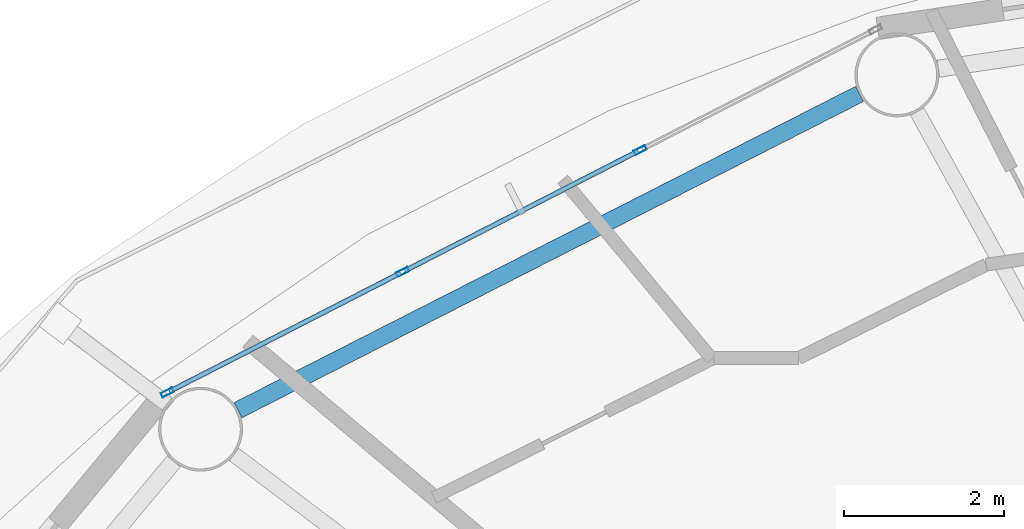
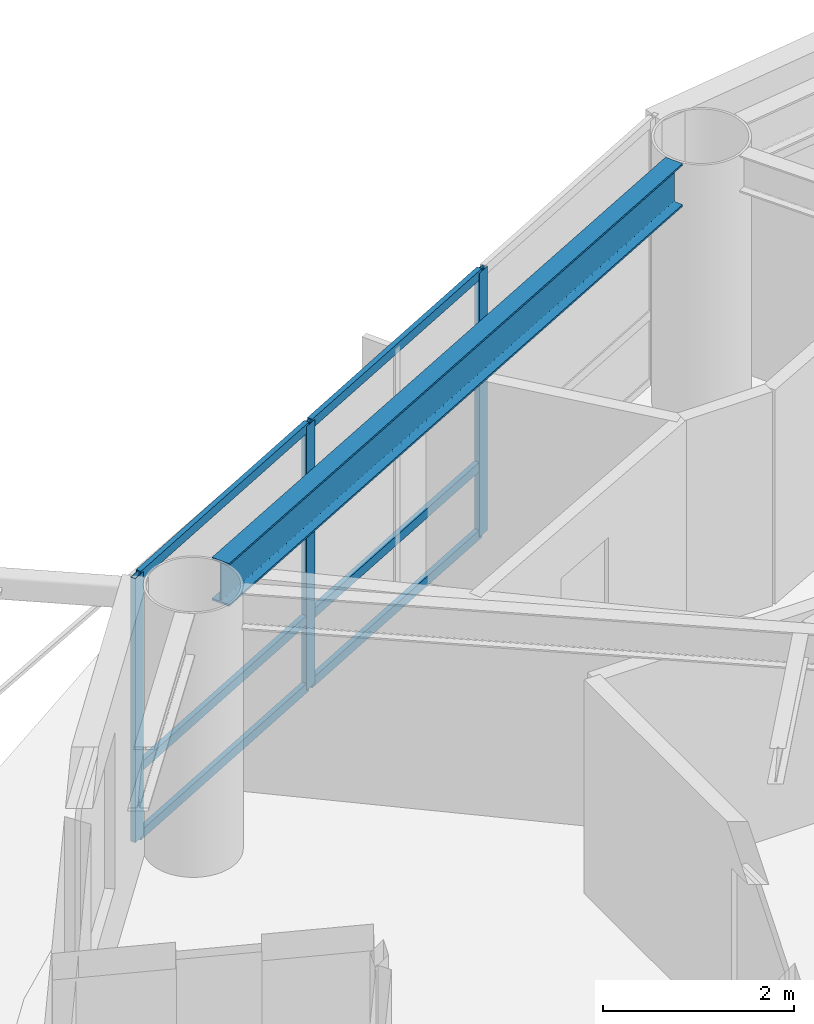
# One storey, part 11 of 29: 9 members, 1 beam, 1 element without a shape of its own.
"""IFC4 building model written with IfcOpenShell, lengths in metres."""

import ifcopenshell
import ifcopenshell.guid

model = None  # the IFC model being written
_history = None  # IfcOwnerHistory: only IFC2X3 demands one
_inside = {}  # id of a spatial element -> (the spatial element, [elements in it])
_under = {}  # id of a project, library or spatial element -> (it, [spatial elements below it])
_declared = {}  # id of a project -> (the project, [libraries it declares])
_typed = {}  # id of a type object -> (the type object, [elements of that type])
_made_of = {}  # id of a material, layer set ... -> (it, [elements and type objects made of it])


def new_model(schema):
    """Start an empty IFC model of exactly this schema.

    Asked for "IFC4X3", IfcOpenShell would pick the latest addendum, in which some entities
    have other attributes; the version numbers below select the first issue.
    IFC2X3 requires an IfcOwnerHistory on every rooted entity: one is made here for all.
    """
    global model, _history
    if schema == "IFC4X3":
        model = ifcopenshell.file(schema_version=(4, 3, 0, 0))
    else:
        model = ifcopenshell.file(schema=schema)
    _inside.clear()
    _under.clear()
    _declared.clear()
    _typed.clear()
    _made_of.clear()
    _history = None
    if model.schema == "IFC2X3":
        org = make("IfcOrganization", Name="unknown")
        user = make(
            "IfcPersonAndOrganization",
            ThePerson=make("IfcPerson", FamilyName="unknown"),
            TheOrganization=org,
        )
        app = make(
            "IfcApplication",
            ApplicationDeveloper=org,
            Version="unknown",
            ApplicationFullName="unknown",
            ApplicationIdentifier="unknown",
        )
        _history = make(
            "IfcOwnerHistory",
            OwningUser=user,
            OwningApplication=app,
            ChangeAction="ADDED",
            CreationDate=0,
        )
    return model


def make(cls, **values):
    """One entity of the class cls with the attributes given. An attribute that is None is left unset."""
    return model.create_entity(
        cls, **{name: value for name, value in values.items() if value is not None}
    )


def rooted(cls, **values):
    """An entity with a GlobalId (a new one), such as an element, a storey or a relation."""
    return make(cls, GlobalId=ifcopenshell.guid.new(), OwnerHistory=_history, **values)


def si_unit(unit_type, name, prefix=None):
    """IfcSIUnit, for example si_unit("LENGTHUNIT", "METRE", prefix="MILLI")."""
    return make("IfcSIUnit", UnitType=unit_type, Prefix=prefix, Name=name)


def assignment(units):
    """IfcUnitAssignment: the units of a project."""
    return None if units is None else make("IfcUnitAssignment", Units=units)


def point(xyz):
    """IfcCartesianPoint."""
    return None if xyz is None else make("IfcCartesianPoint", Coordinates=xyz)


def direction(xyz):
    """IfcDirection."""
    return None if xyz is None else make("IfcDirection", DirectionRatios=xyz)


def frame(location, z_axis=None, x_axis=None):
    """IfcAxis2Placement3D, a coordinate frame: its origin and axes. An axis left out is left unset."""
    return make(
        "IfcAxis2Placement3D",
        Location=point(location),
        Axis=direction(z_axis),
        RefDirection=direction(x_axis),
    )


def frame_2d(location, x_axis=None):
    """IfcAxis2Placement2D, a coordinate frame in the plane: its origin and x axis."""
    return make(
        "IfcAxis2Placement2D", Location=point(location), RefDirection=direction(x_axis)
    )


def origin():
    """The frame at (0, 0, 0) with its axes left unset."""
    return frame((0.0, 0.0, 0.0))


def origin_2d():
    """The frame at (0, 0) in the plane with its x axis left unset."""
    return frame_2d((0.0, 0.0))


def place(relative_to, where):
    """IfcLocalPlacement: puts the frame where relative to a parent placement (None: the world)."""
    return make(
        "IfcLocalPlacement", PlacementRelTo=relative_to, RelativePlacement=where
    )


def context(
    kind, dimensions, precision=None, world=None, true_north=None, identifier=None
):
    """IfcGeometricRepresentationContext, for example the 3D "Model" context."""
    return make(
        "IfcGeometricRepresentationContext",
        ContextIdentifier=identifier,
        ContextType=kind,
        CoordinateSpaceDimension=dimensions,
        Precision=precision,
        WorldCoordinateSystem=world,
        TrueNorth=true_north,
    )


def subcontext(parent, identifier, kind, view, scale=None):
    """IfcGeometricRepresentationSubContext, for example "Body" below "Model"."""
    return make(
        "IfcGeometricRepresentationSubContext",
        ContextIdentifier=identifier,
        ContextType=kind,
        ParentContext=parent,
        TargetScale=scale,
        TargetView=view,
    )


def project(units=None, contexts=None):
    """IfcProject with its units and contexts."""
    return rooted(
        "IfcProject",
        Name="project",
        RepresentationContexts=contexts,
        UnitsInContext=assignment(units),
    )


def spatial(cls, under=None, at=None, **own):
    """A site, building, storey or space (cls), placed at a placement, below another one or the project."""
    s = rooted(cls, ObjectPlacement=at, **own)
    if under is not None:
        _under.setdefault(under.id(), (under, []))[1].append(s)
    return s


def profile(cls, at=None, kind="AREA", **sizes):
    """A parametric profile (cls). Its sizes go by their IFC names, for example OverallWidth=200.0."""
    return make(cls, ProfileType=kind, Position=at, **sizes)


def hollow_rectangle(**sizes):
    """IfcRectangleHollowProfileDef."""
    return profile("IfcRectangleHollowProfileDef", **sizes)


def i_section(**sizes):
    """IfcIShapeProfileDef."""
    return profile("IfcIShapeProfileDef", **sizes)


def extrude(swept, where, along, depth):
    """IfcExtrudedAreaSolid: the profile swept, set in the frame where, extruded along a direction by depth."""
    return make(
        "IfcExtrudedAreaSolid",
        SweptArea=swept,
        Position=where,
        ExtrudedDirection=direction(along),
        Depth=depth,
    )


def shape(context_of_items, identifier, shape_type, items):
    """IfcShapeRepresentation: the items that make up one representation, for example the "Body"."""
    return make(
        "IfcShapeRepresentation",
        ContextOfItems=context_of_items,
        RepresentationIdentifier=identifier,
        RepresentationType=shape_type,
        Items=items,
    )


def material(Name=None, Category=None):
    """IfcMaterial."""
    return make("IfcMaterial", Name=Name, Category=Category)


def layer(
    of_material, thickness, ventilated=None, Name=None, Category=None, Priority=None
):
    """IfcMaterialLayer: one layer of a wall or slab, of a material (None: an air gap)."""
    return make(
        "IfcMaterialLayer",
        Material=of_material,
        LayerThickness=thickness,
        IsVentilated=ventilated,
        Name=Name,
        Category=Category,
        Priority=Priority,
    )


def layer_set(layers, Name=None):
    """IfcMaterialLayerSet."""
    return make("IfcMaterialLayerSet", MaterialLayers=layers, LayerSetName=Name)


def material_profile(
    of_material, cross_section, Name=None, Category=None, Priority=None
):
    """IfcMaterialProfile: a cross section and its material."""
    return make(
        "IfcMaterialProfile",
        Name=Name,
        Material=of_material,
        Profile=cross_section,
        Priority=Priority,
        Category=Category,
    )


def profile_set(profiles, Name=None, composite=None):
    """IfcMaterialProfileSet."""
    return make(
        "IfcMaterialProfileSet",
        Name=Name,
        MaterialProfiles=profiles,
        CompositeProfile=composite,
    )


def made_of(thing, what):
    """Note that an element or type object is made of a material, layer set ...; save() writes the relation."""
    if what is not None:
        _made_of.setdefault(what.id(), (what, []))[1].append(thing)
    return thing


def type_object(cls, material=None, **own):
    """A type object (cls), such as IfcWallType, which elements share."""
    return made_of(rooted(cls, **own), material)


def element(
    cls,
    number,
    at=None,
    inside=None,
    cuts=None,
    type_object=None,
    material=None,
    context=None,
    identifier="Body",
    shape_type=None,
    held_by="IfcProductDefinitionShape",
    body=None,
    shapes=None,
    **own,
):
    """One element of the class cls, such as IfcWall. Its Tag is "e" and its number.

    at: its placement. inside: the storey or other place that contains it. cuts: it is an
    opening in that element (IfcRelVoidsElement). A single representation is given by context,
    identifier, shape_type and body (its items); several are given by shapes. held_by: the class
    of the entity that holds the representations. save() writes the other relations.
    """
    e = rooted(cls, Tag="e%d" % number, ObjectPlacement=at, **own)
    if body is not None:
        shapes = [shape(context, identifier, shape_type, body)]
    if shapes is not None:
        e.Representation = make(held_by, Representations=shapes)
    if inside is not None:
        _inside.setdefault(inside.id(), (inside, []))[1].append(e)
    if cuts is not None:
        rooted(
            "IfcRelVoidsElement", RelatingBuildingElement=cuts, RelatedOpeningElement=e
        )
    if type_object is not None:
        _typed.setdefault(type_object.id(), (type_object, []))[1].append(e)
    return made_of(e, material)


def aggregate(whole, parts):
    """IfcRelAggregates: a whole, such as a stair, and the parts it consists of."""
    return rooted("IfcRelAggregates", RelatingObject=whole, RelatedObjects=parts)


def save(model, path):
    """Write the relations noted so far, then the file.

    IfcRelAggregates (storeys below a building ...), IfcRelContainedInSpatialStructure (elements
    in a storey), IfcRelDefinesByType, IfcRelAssociatesMaterial and IfcRelDeclares: one each for
    every whole, place, type object, material and project.
    """
    for whole, parts in _under.values():
        aggregate(whole, parts)
    for where, things in _inside.values():
        rooted(
            "IfcRelContainedInSpatialStructure",
            RelatedElements=things,
            RelatingStructure=where,
        )
    for kind, things in _typed.values():
        rooted("IfcRelDefinesByType", RelatedObjects=things, RelatingType=kind)
    for what, things in _made_of.values():
        rooted("IfcRelAssociatesMaterial", RelatedObjects=things, RelatingMaterial=what)
    for by, libraries in _declared.values():
        rooted("IfcRelDeclares", RelatingContext=by, RelatedDefinitions=libraries)
    model.write(path)


model = new_model("IFC4")

# Units and contexts
model_context = context("Model", 3, precision=1e-05, world=origin(), true_north=direction((0.0, 1.0)))
body_context = subcontext(model_context, "Body", "Model", "MODEL_VIEW")
ifc_project = project(units=[si_unit("LENGTHUNIT", "METRE"), si_unit("AREAUNIT", "SQUARE_METRE"), si_unit("VOLUMEUNIT", "CUBIC_METRE"), si_unit("PLANEANGLEUNIT", "RADIAN"), si_unit("MASSUNIT", "GRAM", prefix="KILO")], contexts=[model_context])

# Site, building, storey
site_placement = place(None, origin())
site = spatial("IfcSite", under=ifc_project, at=site_placement, CompositionType="ELEMENT")
building_placement = place(site_placement, origin())
building = spatial("IfcBuilding", under=site, at=building_placement, Name="Sarneth Arch Tower", CompositionType="ELEMENT")
storey_placement = place(building_placement, frame((0.0, 0.0, 175.800048828125)))
storey = spatial("IfcBuildingStorey", under=building, at=storey_placement, Name="L44", CompositionType="ELEMENT", Elevation=175.800048828125)

# Beam
ifc_material_1 = material(Name="Steel S355", Category="steel")
ifc_material_profile_1 = material_profile(ifc_material_1, i_section(OverallWidth=0.214111328125, OverallDepth=0.549072265625, WebThickness=0.0146484375, FlangeThickness=0.023681640625, FilletRadius=0.01806640625, at=origin_2d()), Name="W530x138")
ifc_profile_set_1 = profile_set([ifc_material_profile_1], Name="Steel S355")
beam_type = type_object("IfcBeamType", Name="BM-RAD-530A", PredefinedType="BEAM", material=ifc_profile_set_1)
beam_placement = place(storey_placement, frame((37.1103515625, 60.6552734375, 3.10546875), z_axis=(-0.891254220899, -0.453504039374, 0.0), x_axis=(0.453504039374, -0.891254220899, 0.0)))
element("IfcBeam", 1, at=beam_placement, inside=storey, type_object=beam_type, Name="L44 Perimeter spandrel beam 06", PredefinedType="BEAM", context=body_context, shape_type="SweptSolid", body=[
    extrude(i_section(OverallWidth=0.214111328125, OverallDepth=0.549072265625, WebThickness=0.0146484375, FlangeThickness=0.023681640625, FilletRadius=0.01806640625, at=origin_2d()), origin(), (0.0, 0.0, 1.0), 8.724853515625),
])

# Curtain wall, members
ifc_material_2 = material(Name="Anodised aluminium Type AA25 and solar-control low-e laminated IGU", Category="aluminium")
ifc_layer = layer(ifc_material_2, 0.169921875)
ifc_layer_set = layer_set([ifc_layer], Name="Anodised aluminium Type AA25 and solar-control low-e laminated IGU")
curtain_wall_type = type_object("IfcCurtainWallType", Name="CW-RES-MID", PredefinedType="NOTDEFINED", material=ifc_layer_set)
curtain_wall_placement = place(storey_placement, origin())
curtain_wall = element("IfcCurtainWall", 2, at=curtain_wall_placement, inside=storey, type_object=curtain_wall_type, Name="L44 Unitised curtain wall facet 06", PredefinedType="NOTDEFINED")
ifc_material_3 = material(Name="Anodised Aluminium 6063-T6", Category="aluminium")
ifc_material_profile_2 = material_profile(ifc_material_3, hollow_rectangle(XDim=0.06005859375, YDim=0.159912109375, WallThickness=0.00390625, at=origin_2d()), Name="AL-MULL-160x60x4")
ifc_profile_set_2 = profile_set([ifc_material_profile_2], Name="Anodised Aluminium 6063-T6")
member_type_1 = type_object("IfcMemberType", Name="CW-MULLION", PredefinedType="MULLION", material=ifc_profile_set_2)
member_1_placement = place(storey_placement, frame((34.365966796875, 59.9521484375, 0.0), z_axis=(0.0, 0.0, 1.0), x_axis=(0.456208470329, -0.88987293003, 0.0)))
member_1 = element("IfcMember", 3, at=member_1_placement, type_object=member_type_1, Name="CW-SYS-5 mullion 2", PredefinedType="MULLION", context=body_context, shape_type="SweptSolid", body=[
    extrude(hollow_rectangle(XDim=0.06005859375, YDim=0.159912109375, WallThickness=0.00390625, at=origin_2d()), origin(), (0.0, 0.0, 1.0), 3.3798828125),
])
member_2_placement = place(storey_placement, frame((31.39501953125, 58.428955078125, 0.0), z_axis=(0.0, 0.0, 1.0), x_axis=(0.456208470329, -0.88987293003, 0.0)))
member_2 = element("IfcMember", 4, at=member_2_placement, type_object=member_type_1, Name="CW-SYS-5 mullion 3", PredefinedType="MULLION", context=body_context, shape_type="SweptSolid", body=[
    extrude(hollow_rectangle(XDim=0.06005859375, YDim=0.159912109375, WallThickness=0.00390625, at=origin_2d()), origin(), (0.0, 0.0, 1.0), 3.3798828125),
])
member_3_placement = place(storey_placement, frame((28.450439453125, 56.91943359375, 0.0), z_axis=(0.0, 0.0, 1.0), x_axis=(0.456208470329, -0.88987293003, 0.0)))
member_3 = element("IfcMember", 5, at=member_3_placement, type_object=member_type_1, Name="CW-SYS-5 mullion 4", PredefinedType="MULLION", context=body_context, shape_type="SweptSolid", body=[
    extrude(hollow_rectangle(XDim=0.06005859375, YDim=0.159912109375, WallThickness=0.00390625, at=origin_2d()), origin(), (0.0, 0.0, 1.0), 3.3798828125),
])
ifc_material_4 = material(Name="Anodised Aluminium 6063-T6", Category="aluminium")
ifc_material_profile_3 = material_profile(ifc_material_4, hollow_rectangle(XDim=0.06005859375, YDim=0.1201171875, WallThickness=0.00390625, at=origin_2d()), Name="AL-TRAN-120x60x4")
ifc_profile_set_3 = profile_set([ifc_material_profile_3], Name="Anodised Aluminium 6063-T6")
member_type_2 = type_object("IfcMemberType", Name="CW-TRANSOM", PredefinedType="USERDEFINED", material=ifc_profile_set_3)
member_4_placement = place(storey_placement, frame((34.33935546875, 59.9384765625, 0.030029296875), z_axis=(-0.889869396751, -0.45621536222, 0.0), x_axis=(0.45621536222, -0.889869396751, 0.0)))
member_4 = element("IfcMember", 6, at=member_4_placement, type_object=member_type_2, Name="CW-SYS-5 transom 2.1", ObjectType="TRANSOM", PredefinedType="USERDEFINED", context=body_context, shape_type="SweptSolid", body=[
    extrude(hollow_rectangle(XDim=0.06005859375, YDim=0.1201171875, WallThickness=0.00390625, at=origin_2d()), origin(), (0.0, 0.0, 1.0), 3.27880859375),
])
member_5_placement = place(storey_placement, frame((34.33935546875, 59.9384765625, 0.89990234375), z_axis=(-0.889869396751, -0.45621536222, 0.0), x_axis=(0.45621536222, -0.889869396751, 0.0)))
member_5 = element("IfcMember", 7, at=member_5_placement, type_object=member_type_2, Name="CW-SYS-5 transom 2.2", ObjectType="TRANSOM", PredefinedType="USERDEFINED", context=body_context, shape_type="SweptSolid", body=[
    extrude(hollow_rectangle(XDim=0.06005859375, YDim=0.1201171875, WallThickness=0.00390625, at=origin_2d()), origin(), (0.0, 0.0, 1.0), 3.27880859375),
])
member_6_placement = place(storey_placement, frame((34.33935546875, 59.9384765625, 3.349853515625), z_axis=(-0.889869396751, -0.45621536222, 0.0), x_axis=(0.45621536222, -0.889869396751, 0.0)))
member_6 = element("IfcMember", 8, at=member_6_placement, type_object=member_type_2, Name="CW-SYS-5 transom 2.3", ObjectType="TRANSOM", PredefinedType="USERDEFINED", context=body_context, shape_type="SweptSolid", body=[
    extrude(hollow_rectangle(XDim=0.06005859375, YDim=0.1201171875, WallThickness=0.00390625, at=origin_2d()), origin(), (0.0, 0.0, 1.0), 3.27880859375),
])
member_7_placement = place(storey_placement, frame((31.3681640625, 58.415283203125, 0.030029296875), z_axis=(-0.889857362344, -0.456238835131, 0.0), x_axis=(0.456238835131, -0.889857362344, 0.0)))
member_7 = element("IfcMember", 9, at=member_7_placement, type_object=member_type_2, Name="CW-SYS-5 transom 3.1", ObjectType="TRANSOM", PredefinedType="USERDEFINED", context=body_context, shape_type="SweptSolid", body=[
    extrude(hollow_rectangle(XDim=0.06005859375, YDim=0.1201171875, WallThickness=0.00390625, at=origin_2d()), origin(), (0.0, 0.0, 1.0), 3.248779296875),
])
member_8_placement = place(storey_placement, frame((31.3681640625, 58.415283203125, 0.89990234375), z_axis=(-0.889857362344, -0.456238835131, 0.0), x_axis=(0.456238835131, -0.889857362344, 0.0)))
member_8 = element("IfcMember", 10, at=member_8_placement, type_object=member_type_2, Name="CW-SYS-5 transom 3.2", ObjectType="TRANSOM", PredefinedType="USERDEFINED", context=body_context, shape_type="SweptSolid", body=[
    extrude(hollow_rectangle(XDim=0.06005859375, YDim=0.1201171875, WallThickness=0.00390625, at=origin_2d()), origin(), (0.0, 0.0, 1.0), 3.248779296875),
])
member_9_placement = place(storey_placement, frame((31.3681640625, 58.415283203125, 3.349853515625), z_axis=(-0.889857362344, -0.456238835131, 0.0), x_axis=(0.456238835131, -0.889857362344, 0.0)))
member_9 = element("IfcMember", 11, at=member_9_placement, type_object=member_type_2, Name="CW-SYS-5 transom 3.3", ObjectType="TRANSOM", PredefinedType="USERDEFINED", context=body_context, shape_type="SweptSolid", body=[
    extrude(hollow_rectangle(XDim=0.06005859375, YDim=0.1201171875, WallThickness=0.00390625, at=origin_2d()), origin(), (0.0, 0.0, 1.0), 3.248779296875),
])
aggregate(curtain_wall, [member_1, member_2, member_3, member_4, member_5, member_6, member_7, member_8, member_9])

save(model, "model.ifc")
